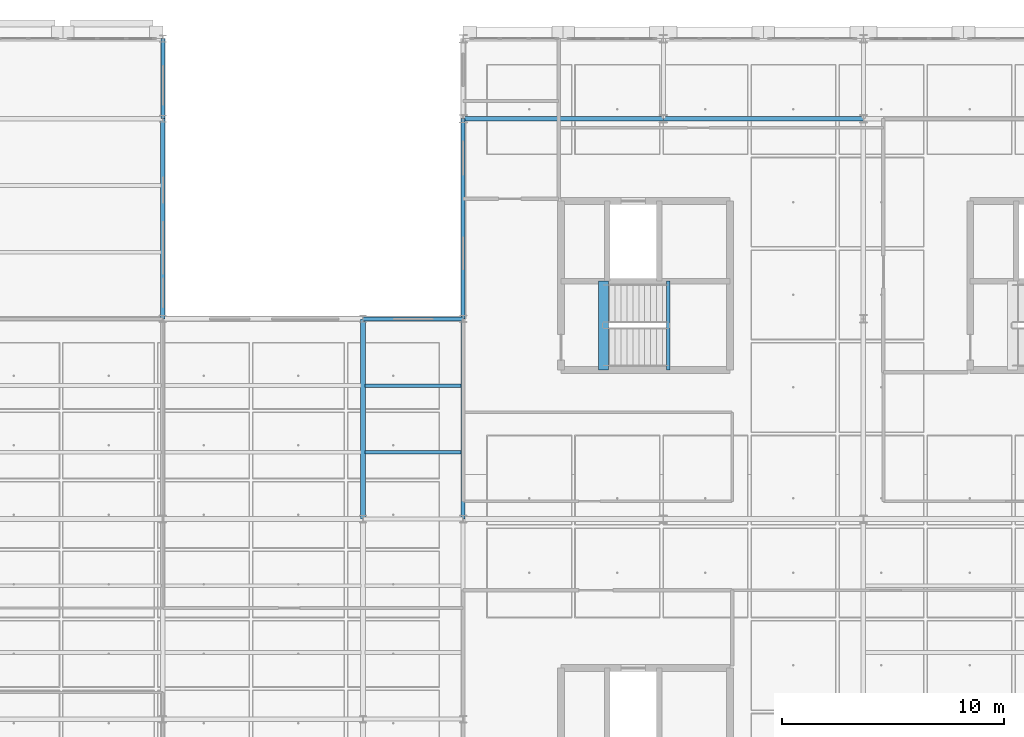
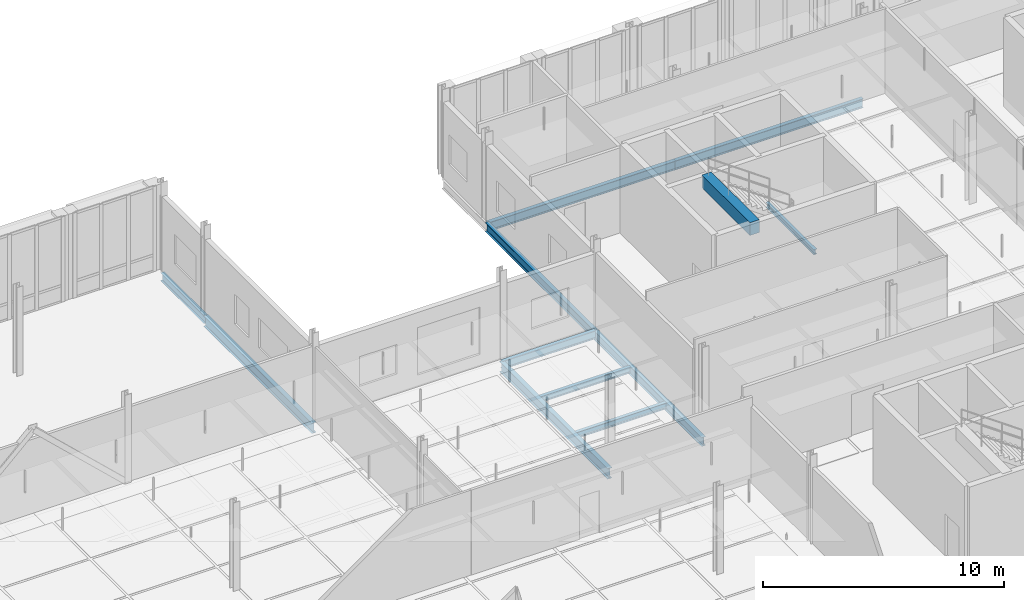
# One storey, part 44 of 130: 12 beams.
"""IFC4 building model written with IfcOpenShell, lengths in metres."""

from ifc_helpers import new_model, si_unit, direction, frame, origin, origin_2d, place, context, subcontext, project, spatial, rectangle, i_section, extrude, material, material_profile, profile_set, type_object, element, save


model = new_model("IFC4")

# Units and contexts
model_context = context("Model", 3, precision=1e-05, world=origin(), true_north=direction((0.0, 1.0)))
body_context = subcontext(model_context, "Body", "Model", "MODEL_VIEW")
ifc_project = project(units=[si_unit("LENGTHUNIT", "METRE"), si_unit("AREAUNIT", "SQUARE_METRE"), si_unit("VOLUMEUNIT", "CUBIC_METRE"), si_unit("PLANEANGLEUNIT", "RADIAN"), si_unit("MASSUNIT", "GRAM", prefix="KILO"), si_unit("THERMODYNAMICTEMPERATUREUNIT", "KELVIN"), si_unit("POWERUNIT", "WATT")], contexts=[model_context])

# Site, building, storey
site_placement = place(None, origin())
site = spatial("IfcSite", under=ifc_project, at=site_placement, CompositionType="ELEMENT")
building_placement = place(site_placement, origin())
building = spatial("IfcBuilding", under=site, at=building_placement, Name="Tallowbark Science Centre", CompositionType="ELEMENT")
storey_placement = place(building_placement, frame((0.0, 0.0, 5.39990234375)))
storey = spatial("IfcBuildingStorey", under=building, at=storey_placement, Name="L01", CompositionType="ELEMENT", Elevation=5.39990234375)

# Beams
ifc_material_1 = material(Name="Concrete Grade N40 (40 MPa)", Category="concrete")
ifc_material_profile_1 = material_profile(ifc_material_1, rectangle(XDim=0.449951171875, YDim=0.64990234375, at=origin_2d()), Name="RC450x650")
ifc_profile_set_1 = profile_set([ifc_material_profile_1], Name="Concrete Grade N40 (40 MPa)")
beam_type_1 = type_object("IfcBeamType", Name="BM-GB2-N40", PredefinedType="BEAM", material=ifc_profile_set_1)
beam_1_placement = place(storey_placement, frame((118.81005859375, 96.699951171875, 4.175048828125), z_axis=(0.0, 1.0, 0.0), x_axis=(-1.0, 0.0, 0.0)))
element("IfcBeam", 1, at=beam_1_placement, inside=storey, type_object=beam_type_1, Name="Stair ST-05 Landing Nosing Beam L01", PredefinedType="BEAM", context=body_context, shape_type="SweptSolid", body=[
    extrude(rectangle(XDim=0.449951171875, YDim=0.64990234375, at=origin_2d()), origin(), (0.0, 0.0, 1.0), 3.9951171875),
])
ifc_material_2 = material(Name="Structural Steel Grade 300PLUS (300 MPa)", Category="steel")
ifc_material_profile_2 = material_profile(ifc_material_2, i_section(OverallWidth=0.177734375, OverallDepth=0.406494140625, WebThickness=0.0078125, FlangeThickness=0.0126953125, FilletRadius=0.011474609375, at=origin_2d()), Name="410UB59.7")
ifc_profile_set_2 = profile_set([ifc_material_profile_2], Name="Structural Steel Grade 300PLUS (300 MPa)")
beam_type_2 = type_object("IfcBeamType", Name="BM-UB410", PredefinedType="BEAM", material=ifc_profile_set_2)
beam_2_placement = place(storey_placement, frame((108.0, 99.0, -0.383056640625), z_axis=(1.0, 0.0, 0.0), x_axis=(0.0, 1.0, 0.0)))
element("IfcBeam", 2, at=beam_2_placement, inside=storey, type_object=beam_type_2, Name="Primary Girder GRDX-L01-1080-1125-990", PredefinedType="BEAM", context=body_context, shape_type="SweptSolid", body=[
    extrude(i_section(OverallWidth=0.177734375, OverallDepth=0.406494140625, WebThickness=0.0078125, FlangeThickness=0.0126953125, FilletRadius=0.011474609375, at=origin_2d()), origin(), (0.0, 0.0, 1.0), 4.5),
])
beam_3_placement = place(storey_placement, frame((99.0, 108.0, -0.383056640625), z_axis=(0.0, 1.0, 0.0), x_axis=(-1.0, 0.0, 0.0)))
element("IfcBeam", 3, at=beam_3_placement, inside=storey, type_object=beam_type_2, Name="Primary Girder GRDY-L01-990-1080-1116", PredefinedType="BEAM", context=body_context, shape_type="SweptSolid", body=[
    extrude(i_section(OverallWidth=0.177734375, OverallDepth=0.406494140625, WebThickness=0.0078125, FlangeThickness=0.0126953125, FilletRadius=0.011474609375, at=origin_2d()), origin(), (0.0, 0.0, 1.0), 3.60009765625),
])
ifc_material_profile_3 = material_profile(ifc_material_2, i_section(OverallWidth=0.208740234375, OverallDepth=0.5283203125, WebThickness=0.009521484375, FlangeThickness=0.01318359375, FilletRadius=0.013916015625, at=origin_2d()), Name="530UB82.0")
ifc_profile_set_3 = profile_set([ifc_material_profile_3], Name="Structural Steel Grade 300PLUS (300 MPa)")
beam_type_3 = type_object("IfcBeamType", Name="BM-UB530B", PredefinedType="BEAM", material=ifc_profile_set_3)
for number, where, z_axis, x_axis, name in (
    (4, (99.0, 99.0, -0.444091796875), (0.0, 1.0, 0.0), (-1.0, 0.0, 0.0), "Primary Girder GRDY-L01-990-990-1080"),
    (5, (108.0, 90.0, -0.444091796875), (0.0, 1.0, 0.0), (-1.0, 0.0, 0.0), "Primary Girder GRDY-L01-1080-900-990"),
):
    element("IfcBeam", number, at=place(storey_placement, frame(where, z_axis=z_axis, x_axis=x_axis)), inside=storey, type_object=beam_type_3, Name=name, PredefinedType="BEAM", context=body_context, shape_type="SweptSolid", body=[
        extrude(i_section(OverallWidth=0.208740234375, OverallDepth=0.5283203125, WebThickness=0.009521484375, FlangeThickness=0.01318359375, FilletRadius=0.013916015625, at=origin_2d()), origin(), (0.0, 0.0, 1.0), 9.0),
    ])
ifc_material_profile_4 = material_profile(ifc_material_2, i_section(OverallWidth=0.146484375, OverallDepth=0.256103515625, WebThickness=0.00634765625, FlangeThickness=0.010986328125, FilletRadius=0.0087890625, at=origin_2d()), Name="250UB37.3")
ifc_profile_set_4 = profile_set([ifc_material_profile_4], Name="Structural Steel Grade 300PLUS (300 MPa)")
beam_type_4 = type_object("IfcBeamType", Name="JST-UB250", PredefinedType="JOIST", material=ifc_profile_set_4)
beam_4_placement = place(storey_placement, frame((121.72509765625, 96.699951171875, 1.922119140625), z_axis=(0.0, 1.0, 0.0), x_axis=(-1.0, 0.0, 0.0)))
element("IfcBeam", 6, at=beam_4_placement, inside=storey, type_object=beam_type_4, Name="Stair ST-05 Half-Landing Trimmer L01", PredefinedType="JOIST", context=body_context, shape_type="SweptSolid", body=[
    extrude(i_section(OverallWidth=0.146484375, OverallDepth=0.256103515625, WebThickness=0.00634765625, FlangeThickness=0.010986328125, FilletRadius=0.0087890625, at=origin_2d()), origin(), (0.0, 0.0, 1.0), 3.9951171875),
])
ifc_material_profile_5 = material_profile(ifc_material_2, i_section(OverallWidth=0.166015625, OverallDepth=0.30712890625, WebThickness=0.006591796875, FlangeThickness=0.01171875, FilletRadius=0.011474609375, at=origin_2d()), Name="310UB46.2")
ifc_profile_set_5 = profile_set([ifc_material_profile_5], Name="Structural Steel Grade 300PLUS (300 MPa)")
beam_type_5 = type_object("IfcBeamType", Name="JST-UB310", PredefinedType="JOIST", material=ifc_profile_set_5)
for number, where, z_axis, x_axis, name in (
    (7, (108.0849609375, 93.0, -0.33349609375), (1.0, 0.0, 0.0), (0.0, 1.0, 0.0), "Composite Floor Joist JSTX-L01-1080-930"),
    (8, (108.0849609375, 96.0, -0.33349609375), (1.0, 0.0, 0.0), (0.0, 1.0, 0.0), "Composite Floor Joist JSTX-L01-1080-960"),
):
    element("IfcBeam", number, at=place(storey_placement, frame(where, z_axis=z_axis, x_axis=x_axis)), inside=storey, type_object=beam_type_5, Name=name, PredefinedType="JOIST", context=body_context, shape_type="SweptSolid", body=[
        extrude(i_section(OverallWidth=0.166015625, OverallDepth=0.30712890625, WebThickness=0.006591796875, FlangeThickness=0.01171875, FilletRadius=0.011474609375, at=origin_2d()), origin(), (0.0, 0.0, 1.0), 4.330078125),
    ])
ifc_material_profile_6 = material_profile(ifc_material_2, i_section(OverallWidth=0.18994140625, OverallDepth=0.453857421875, WebThickness=0.008544921875, FlangeThickness=0.0126953125, FilletRadius=0.011474609375, at=origin_2d()), Name="460UB67.1")
ifc_profile_set_6 = profile_set([ifc_material_profile_6], Name="Structural Steel Grade 300PLUS (300 MPa)")
beam_type_6 = type_object("IfcBeamType", Name="SPN-UB460", PredefinedType="SPANDREL", material=ifc_profile_set_6)
for number, where, z_axis, x_axis, name in (
    (9, (112.5, 108.0, -0.40673828125), (1.0, 0.0, 0.0), (0.0, 1.0, 0.0), "Primary Girder GRDX-L01-1125-1215-1080"),
    (10, (121.5, 108.0, -0.40673828125), (1.0, 0.0, 0.0), (0.0, 1.0, 0.0), "Primary Girder GRDX-L01-1215-1305-1080"),
    (11, (112.5, 90.0, -0.40673828125), (0.0, 1.0, 0.0), (-1.0, 0.0, 0.0), "Primary Girder GRDY-L01-1125-900-990"),
    (12, (112.5, 99.0, -0.40673828125), (0.0, 1.0, 0.0), (-1.0, 0.0, 0.0), "Primary Girder GRDY-L01-1125-990-1080"),
):
    element("IfcBeam", number, at=place(storey_placement, frame(where, z_axis=z_axis, x_axis=x_axis)), inside=storey, type_object=beam_type_6, Name=name, PredefinedType="SPANDREL", context=body_context, shape_type="SweptSolid", body=[
        extrude(i_section(OverallWidth=0.18994140625, OverallDepth=0.453857421875, WebThickness=0.008544921875, FlangeThickness=0.0126953125, FilletRadius=0.011474609375, at=origin_2d()), origin(), (0.0, 0.0, 1.0), 9.0),
    ])

save(model, "model.ifc")
